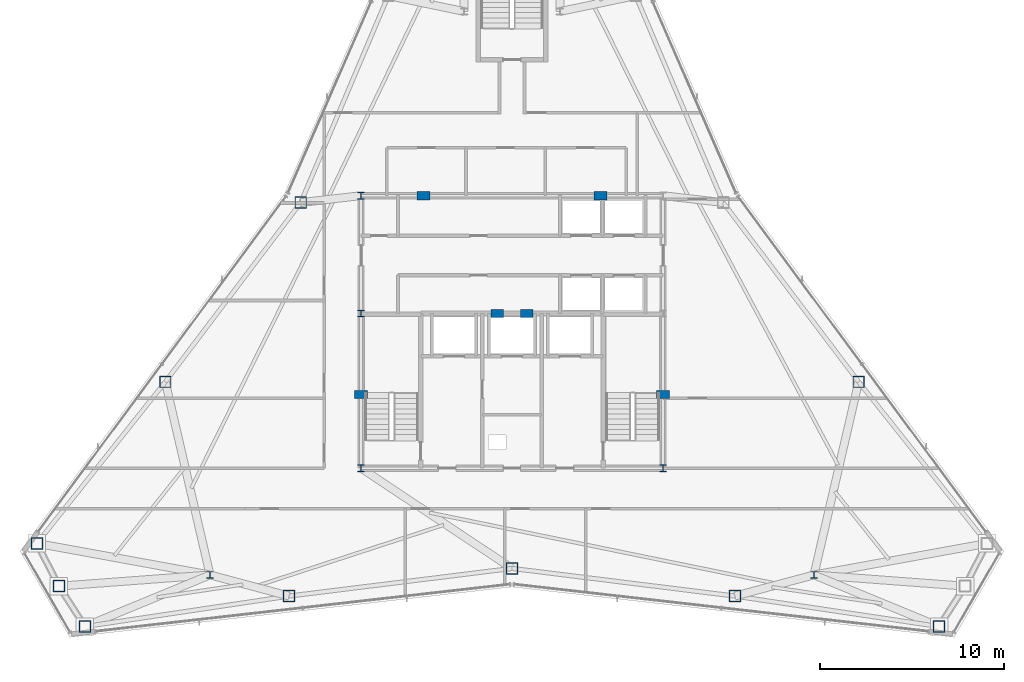
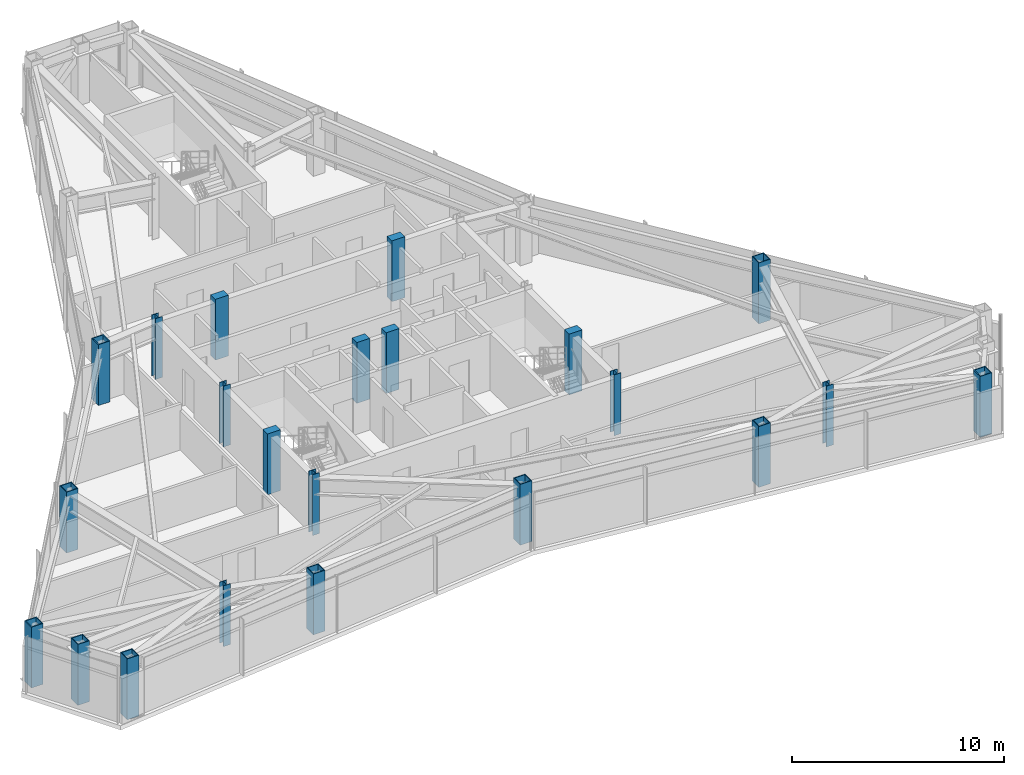
# One storey, part 1 of 12: 22 columns.
"""IFC4 building model written with IfcOpenShell, lengths in metres."""

from ifc_helpers import new_model, si_unit, direction, frame, origin, origin_2d, place, context, subcontext, project, spatial, rectangle, hollow_rectangle, i_section, extrude, material, material_profile, profile_set, type_object, element, save


model = new_model("IFC4")

# Units and contexts
model_context = context("Model", 3, precision=1e-05, world=origin(), true_north=direction((0.0, 1.0)))
body_context = subcontext(model_context, "Body", "Model", "MODEL_VIEW")
ifc_project = project(units=[si_unit("LENGTHUNIT", "METRE"), si_unit("AREAUNIT", "SQUARE_METRE"), si_unit("VOLUMEUNIT", "CUBIC_METRE"), si_unit("PLANEANGLEUNIT", "RADIAN"), si_unit("MASSUNIT", "GRAM", prefix="KILO")], contexts=[model_context])

# Site, building, storey
site_placement = place(None, origin())
site = spatial("IfcSite", under=ifc_project, at=site_placement, CompositionType="ELEMENT")
building_placement = place(site_placement, origin())
building = spatial("IfcBuilding", under=site, at=building_placement, Name="Varakhsha Concourse Tower", CompositionType="ELEMENT")
storey_placement = place(building_placement, frame((0.0, 0.0, 283.0)))
storey = spatial("IfcBuildingStorey", under=building, at=storey_placement, Name="L80", CompositionType="ELEMENT", Elevation=283.0)

# Columns
ifc_material_1 = material(Name="Structural Steel ASTM A992 Grade 50", Category="steel")
ifc_material_profile_1 = material_profile(ifc_material_1, i_section(OverallWidth=0.3740234375, OverallDepth=0.3720703125, WebThickness=0.01611328125, FlangeThickness=0.02587890625, at=origin_2d()), Name="W14X132")
ifc_profile_set_1 = profile_set([ifc_material_profile_1], Name="Structural Steel ASTM A992 Grade 50")
column_type_1 = type_object("IfcColumnType", Name="CL-CORE-W14X132", PredefinedType="COLUMN", material=ifc_profile_set_1)
for number, where, z_axis, x_axis, name in (
    (1, (31.800048828125, 16.39990234375, 0.0), (0.0, 0.0, 1.0), (1.0, 0.0, 0.0), "L80 Core Column CC-SW"),
    (2, (48.199951171875, 16.39990234375, 0.0), (0.0, 0.0, 1.0), (1.0, 0.0, 0.0), "L80 Core Column CC-SE"),
    (3, (31.800048828125, 24.800048828125, 0.0), (0.0, 0.0, 1.0), (1.0, 0.0, 0.0), "L80 Core Column CC-MW"),
    (4, (31.800048828125, 31.199951171875, 0.0), (0.0, 0.0, 1.0), (1.0, 0.0, 0.0), "L80 Core Column CC-NW"),
    (5, (23.60009765625, 10.60009765625, 0.0), (0.0, 0.0, 1.0), (1.0, 0.0, 0.0), "L80 Core Column SS-W"),
    (6, (56.39990234375, 10.60009765625, 0.0), (0.0, 0.0, 1.0), (1.0, 0.0, 0.0), "L80 Core Column SS-E"),
):
    element("IfcColumn", number, at=place(storey_placement, frame(where, z_axis=z_axis, x_axis=x_axis)), inside=storey, type_object=column_type_1, Name=name, PredefinedType="COLUMN", context=body_context, shape_type="SweptSolid", body=[
        extrude(i_section(OverallWidth=0.3740234375, OverallDepth=0.3720703125, WebThickness=0.01611328125, FlangeThickness=0.02587890625, at=origin_2d()), origin(), (0.0, 0.0, 1.0), 3.5),
    ])
ifc_material_2 = material(Name="Concrete fc 65 MPa", Category="concrete")
ifc_material_profile_2 = material_profile(ifc_material_2, rectangle(XDim=0.699951171875, YDim=0.449951171875, at=origin_2d()), Name="RC 700x450")
ifc_profile_set_2 = profile_set([ifc_material_profile_2], Name="Concrete fc 65 MPa")
column_type_2 = type_object("IfcColumnType", Name="CL-PIL-700X450", PredefinedType="PILASTER", material=ifc_profile_set_2)
for number, where, z_axis, x_axis, name in (
    (7, (31.800048828125, 20.39990234375, 0.0), (0.0, 0.0, 1.0), (1.0, 0.0, 0.0), "L80 Core Boundary Pilaster PIL-W1"),
    (8, (48.199951171875, 20.39990234375, 0.0), (0.0, 0.0, 1.0), (1.0, 0.0, 0.0), "L80 Core Boundary Pilaster PIL-E1"),
    (9, (35.199951171875, 31.199951171875, 0.0), (0.0, 0.0, 1.0), (1.0, 0.0, 0.0), "L80 Core Boundary Pilaster PIL-N1"),
    (10, (44.800048828125, 31.199951171875, 0.0), (0.0, 0.0, 1.0), (1.0, 0.0, 0.0), "L80 Core Boundary Pilaster PIL-N2"),
    (11, (39.199951171875, 24.800048828125, 0.0), (0.0, 0.0, 1.0), (1.0, 0.0, 0.0), "L80 Core Boundary Pilaster PIL-M1"),
    (12, (40.800048828125, 24.800048828125, 0.0), (0.0, 0.0, 1.0), (1.0, 0.0, 0.0), "L80 Core Boundary Pilaster PIL-M2"),
):
    element("IfcColumn", number, at=place(storey_placement, frame(where, z_axis=z_axis, x_axis=x_axis)), inside=storey, type_object=column_type_2, Name=name, PredefinedType="PILASTER", context=body_context, shape_type="SweptSolid", body=[
        extrude(rectangle(XDim=0.699951171875, YDim=0.449951171875, at=origin_2d()), origin(), (0.0, 0.0, 1.0), 3.5),
    ])
ifc_material_3 = material(Name="Structural Steel ASTM A572 Grade 50", Category="steel")
ifc_material_profile_3 = material_profile(ifc_material_3, hollow_rectangle(XDim=0.639892578125, YDim=0.639892578125, WallThickness=0.044921875, at=origin_2d()), Name="BOX 640x640x45")
ifc_profile_set_3 = profile_set([ifc_material_profile_3], Name="Structural Steel ASTM A572 Grade 50")
column_type_3 = type_object("IfcColumnType", Name="CL-TUBE-640", PredefinedType="COLUMN", material=ifc_profile_set_3)
for number, where, z_axis, x_axis, name in (
    (13, (28.528076171875, 30.8232421875, 0.0), (0.0, 0.0, 1.0), (1.0, 0.0, 0.0), "L80 Framed-Tube Column TC05"),
    (14, (21.172607421875, 21.08642578125, 0.0), (0.0, 0.0, 1.0), (1.0, 0.0, 0.0), "L80 Framed-Tube Column TC06"),
    (15, (14.197509765625, 12.313232421875, 0.0), (0.0, 0.0, 1.0), (1.0, 0.0, 0.0), "L80 Framed-Tube Column TC07"),
    (16, (15.390380859375, 9.99169921875, 0.0), (0.0, 0.0, 1.0), (1.0, 0.0, 0.0), "L80 Framed-Tube Column TC08"),
    (17, (16.8046875, 7.797607421875, 0.0), (0.0, 0.0, 1.0), (1.0, 0.0, 0.0), "L80 Framed-Tube Column TC09"),
    (18, (27.889892578125, 9.45166015625, 0.0), (0.0, 0.0, 1.0), (1.0, 0.0, 0.0), "L80 Framed-Tube Column TC10"),
    (19, (40.0, 10.953369140625, 0.0), (0.0, 0.0, 1.0), (1.0, 0.0, 0.0), "L80 Framed-Tube Column TC11"),
    (20, (52.110107421875, 9.45166015625, 0.0), (0.0, 0.0, 1.0), (1.0, 0.0, 0.0), "L80 Framed-Tube Column TC12"),
    (21, (63.1953125, 7.797607421875, 0.0), (0.0, 0.0, 1.0), (1.0, 0.0, 0.0), "L80 Framed-Tube Column TC13"),
    (22, (58.827392578125, 21.08642578125, 0.0), (0.0, 0.0, 1.0), (1.0, 0.0, 0.0), "L80 Framed-Tube Column TC16"),
):
    element("IfcColumn", number, at=place(storey_placement, frame(where, z_axis=z_axis, x_axis=x_axis)), inside=storey, type_object=column_type_3, Name=name, PredefinedType="COLUMN", context=body_context, shape_type="SweptSolid", body=[
        extrude(hollow_rectangle(XDim=0.639892578125, YDim=0.639892578125, WallThickness=0.044921875, at=origin_2d()), origin(), (0.0, 0.0, 1.0), 3.5),
    ])

save(model, "model.ifc")
